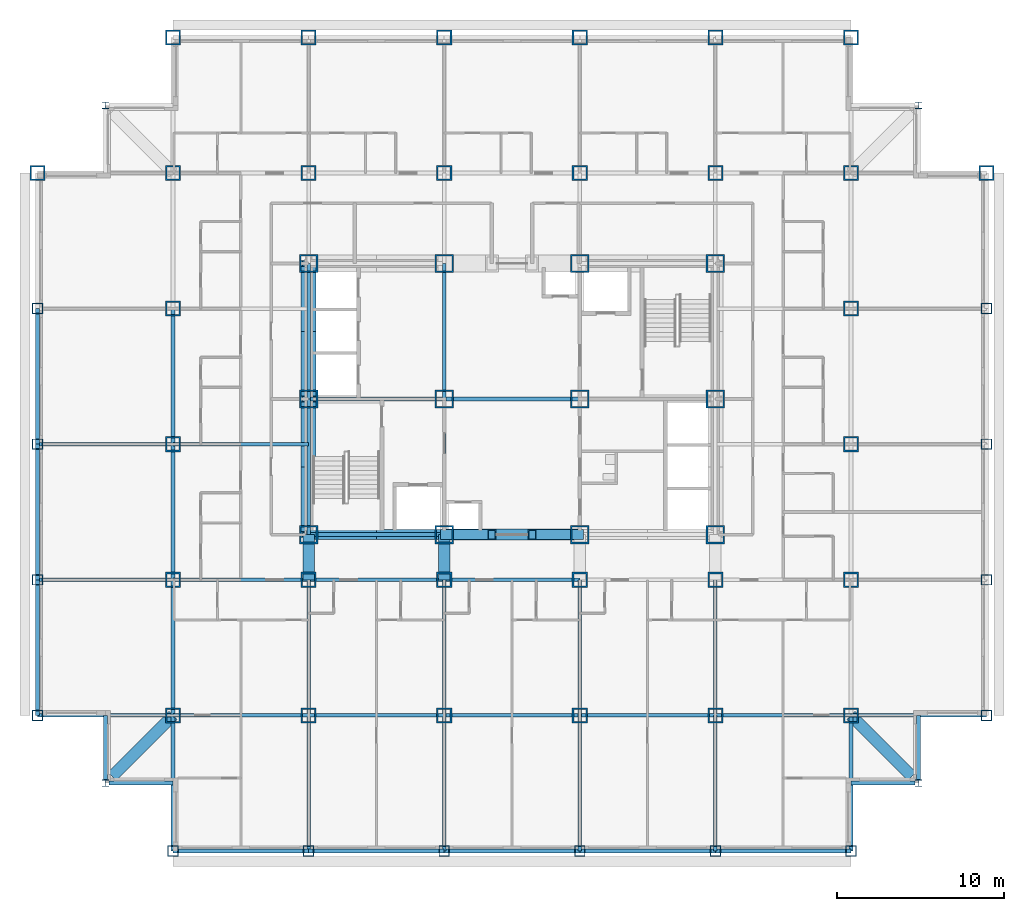
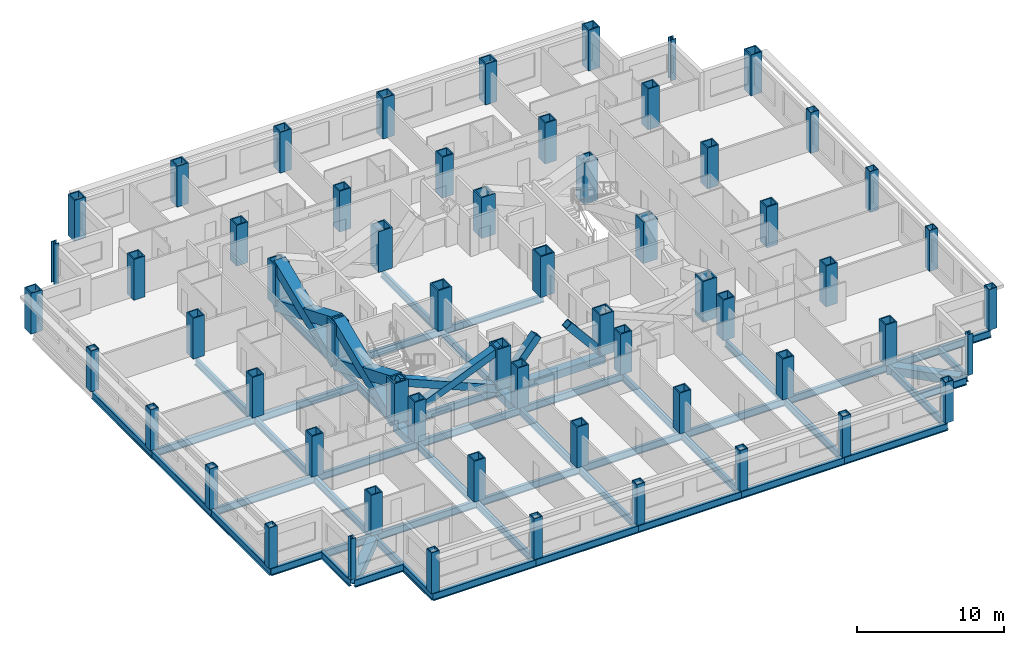
# One storey, part 1 of 13: 60 columns, 50 beams, 8 members.
"""IFC4 building model written with IfcOpenShell, lengths in metres."""

from ifc_helpers import new_model, si_unit, direction, frame, origin, origin_2d, place, context, subcontext, project, spatial, hollow_rectangle, i_section, extrude, material, material_profile, profile_set, type_object, element, save


model = new_model("IFC4")

# Units and contexts
model_context = context("Model", 3, precision=1e-05, world=origin(), true_north=direction((0.0, 1.0)))
body_context = subcontext(model_context, "Body", "Model", "MODEL_VIEW")
ifc_project = project(units=[si_unit("LENGTHUNIT", "METRE"), si_unit("AREAUNIT", "SQUARE_METRE"), si_unit("VOLUMEUNIT", "CUBIC_METRE"), si_unit("PLANEANGLEUNIT", "RADIAN"), si_unit("MASSUNIT", "GRAM", prefix="KILO")], contexts=[model_context])

# Site, building, storey
site_placement = place(None, origin())
site = spatial("IfcSite", under=ifc_project, at=site_placement, CompositionType="ELEMENT")
building_placement = place(site_placement, origin())
building = spatial("IfcBuilding", under=site, at=building_placement, Name="Kopane Lantern Tower", CompositionType="ELEMENT")
storey_placement = place(building_placement, frame((0.0, 0.0, 110.199951171875)))
storey = spatial("IfcBuildingStorey", under=building, at=storey_placement, Name="L27", CompositionType="ELEMENT", Elevation=110.199951171875)

# Columns
ifc_material_1 = material(Name="Steel S355JR", Category="steel")
ifc_material_profile_1 = material_profile(ifc_material_1, hollow_rectangle(XDim=1.10009765625, YDim=1.10009765625, WallThickness=0.10009765625, at=origin_2d()), Name="BOX 1100x1100x100")
ifc_profile_set_1 = profile_set([ifc_material_profile_1], Name="Steel S355JR")
column_type_1 = type_object("IfcColumnType", Name="COLUMN BOX 1100x1100x100", PredefinedType="COLUMN", material=ifc_profile_set_1)
for number, where, z_axis, x_axis, name in (
    (1, (16.199951171875, 24.300048828125, 0.0), (0.0, 0.0, 1.0), (1.0, 0.0, 0.0), "Column 4/E L27"),
    (2, (16.199951171875, 32.39990234375, 0.0), (0.0, 0.0, 1.0), (1.0, 0.0, 0.0), "Column 4/F L27"),
    (3, (16.199951171875, 40.5, 0.0), (0.0, 0.0, 1.0), (1.0, 0.0, 0.0), "Column 4/G L27"),
    (4, (24.300048828125, 24.300048828125, 0.0), (0.0, 0.0, 1.0), (1.0, 0.0, 0.0), "Column 5/E L27"),
    (5, (24.300048828125, 32.39990234375, 0.0), (0.0, 0.0, 1.0), (1.0, 0.0, 0.0), "Column 5/F L27"),
    (6, (24.300048828125, 40.5, 0.0), (0.0, 0.0, 1.0), (1.0, 0.0, 0.0), "Column 5/G L27"),
    (7, (32.39990234375, 24.300048828125, 0.0), (0.0, 0.0, 1.0), (1.0, 0.0, 0.0), "Column 6/E L27"),
    (8, (32.39990234375, 32.39990234375, 0.0), (0.0, 0.0, 1.0), (1.0, 0.0, 0.0), "Column 6/F L27"),
    (9, (32.39990234375, 40.5, 0.0), (0.0, 0.0, 1.0), (1.0, 0.0, 0.0), "Column 6/G L27"),
    (10, (40.5, 24.300048828125, 0.0), (0.0, 0.0, 1.0), (1.0, 0.0, 0.0), "Column 7/E L27"),
    (11, (40.5, 32.39990234375, 0.0), (0.0, 0.0, 1.0), (1.0, 0.0, 0.0), "Column 7/F L27"),
    (12, (40.5, 40.5, 0.0), (0.0, 0.0, 1.0), (1.0, 0.0, 0.0), "Column 7/G L27"),
):
    element("IfcColumn", number, at=place(storey_placement, frame(where, z_axis=z_axis, x_axis=x_axis)), inside=storey, type_object=column_type_1, Name=name, PredefinedType="COLUMN", context=body_context, shape_type="SweptSolid", body=[
        extrude(hollow_rectangle(XDim=1.10009765625, YDim=1.10009765625, WallThickness=0.10009765625, at=origin_2d()), origin(), (0.0, 0.0, 1.0), 3.400146484375),
    ])
ifc_material_2 = material(Name="Steel S355JR", Category="steel")
ifc_material_profile_2 = material_profile(ifc_material_2, hollow_rectangle(XDim=0.64990234375, YDim=0.64990234375, WallThickness=0.054931640625, at=origin_2d()), Name="BOX 650x650x55")
ifc_profile_set_2 = profile_set([ifc_material_profile_2], Name="Steel S355JR")
column_type_2 = type_object("IfcColumnType", Name="COLUMN BOX 650x650x55", PredefinedType="COLUMN", material=ifc_profile_set_2)
for number, where, z_axis, x_axis, name in (
    (13, (0.0, 13.5, 0.0), (0.0, 0.0, 1.0), (1.0, 0.0, 0.0), "Column 2/P2 L27"),
    (14, (0.0, 21.60009765625, 0.0), (0.0, 0.0, 1.0), (1.0, 0.0, 0.0), "Column 2/P3 L27"),
    (15, (0.0, 29.699951171875, 0.0), (0.0, 0.0, 1.0), (1.0, 0.0, 0.0), "Column 2/P4 L27"),
    (16, (0.0, 37.800048828125, 0.0), (0.0, 0.0, 1.0), (1.0, 0.0, 0.0), "Column 2/P5 L27"),
    (17, (8.10009765625, 5.39990234375, 0.0), (0.0, 0.0, 1.0), (1.0, 0.0, 0.0), "Column 3/P1 L27"),
    (18, (16.199951171875, 5.39990234375, 0.0), (0.0, 0.0, 1.0), (1.0, 0.0, 0.0), "Column 4/P1 L27"),
    (19, (24.300048828125, 5.39990234375, 0.0), (0.0, 0.0, 1.0), (1.0, 0.0, 0.0), "Column 5/P1 L27"),
    (20, (32.39990234375, 5.39990234375, 0.0), (0.0, 0.0, 1.0), (1.0, 0.0, 0.0), "Column 6/P1 L27"),
    (21, (40.5, 5.39990234375, 0.0), (0.0, 0.0, 1.0), (1.0, 0.0, 0.0), "Column 7/P1 L27"),
    (22, (48.60009765625, 5.39990234375, 0.0), (0.0, 0.0, 1.0), (1.0, 0.0, 0.0), "Column 8/P1 L27"),
    (23, (56.699951171875, 13.5, 0.0), (0.0, 0.0, 1.0), (1.0, 0.0, 0.0), "Column 9/P2 L27"),
    (24, (56.699951171875, 21.60009765625, 0.0), (0.0, 0.0, 1.0), (1.0, 0.0, 0.0), "Column 9/P3 L27"),
    (25, (56.699951171875, 29.699951171875, 0.0), (0.0, 0.0, 1.0), (1.0, 0.0, 0.0), "Column 9/P4 L27"),
    (26, (56.699951171875, 37.800048828125, 0.0), (0.0, 0.0, 1.0), (1.0, 0.0, 0.0), "Column 9/P5 L27"),
):
    element("IfcColumn", number, at=place(storey_placement, frame(where, z_axis=z_axis, x_axis=x_axis)), inside=storey, type_object=column_type_2, Name=name, PredefinedType="COLUMN", context=body_context, shape_type="SweptSolid", body=[
        extrude(hollow_rectangle(XDim=0.64990234375, YDim=0.64990234375, WallThickness=0.054931640625, at=origin_2d()), origin(), (0.0, 0.0, 1.0), 3.400146484375),
    ])
ifc_material_3 = material(Name="Steel S355JR", Category="steel")
ifc_material_profile_3 = material_profile(ifc_material_3, hollow_rectangle(XDim=0.89990234375, YDim=0.89990234375, WallThickness=0.090087890625, at=origin_2d()), Name="BOX 900x900x90")
ifc_profile_set_3 = profile_set([ifc_material_profile_3], Name="Steel S355JR")
column_type_3 = type_object("IfcColumnType", Name="COLUMN BOX 900x900x90", PredefinedType="COLUMN", material=ifc_profile_set_3)
for number, where, z_axis, x_axis, name in (
    (27, (0.0, 45.89990234375, 0.0), (0.0, 0.0, 1.0), (1.0, 0.0, 0.0), "Column 2/P6 L27"),
    (28, (8.10009765625, 13.5, 0.0), (0.0, 0.0, 1.0), (1.0, 0.0, 0.0), "Column 3/P2 L27"),
    (29, (8.10009765625, 21.60009765625, 0.0), (0.0, 0.0, 1.0), (1.0, 0.0, 0.0), "Column 3/P3 L27"),
    (30, (8.10009765625, 29.699951171875, 0.0), (0.0, 0.0, 1.0), (1.0, 0.0, 0.0), "Column 3/P4 L27"),
    (31, (8.10009765625, 37.800048828125, 0.0), (0.0, 0.0, 1.0), (1.0, 0.0, 0.0), "Column 3/P5 L27"),
    (32, (8.10009765625, 45.89990234375, 0.0), (0.0, 0.0, 1.0), (1.0, 0.0, 0.0), "Column 3/P6 L27"),
    (33, (8.10009765625, 54.0, 0.0), (0.0, 0.0, 1.0), (1.0, 0.0, 0.0), "Column 3/P7 L27"),
    (34, (16.199951171875, 13.5, 0.0), (0.0, 0.0, 1.0), (1.0, 0.0, 0.0), "Column 4/P2 L27"),
    (35, (16.199951171875, 21.60009765625, 0.0), (0.0, 0.0, 1.0), (1.0, 0.0, 0.0), "Column 4/P3 L27"),
    (36, (16.199951171875, 45.89990234375, 0.0), (0.0, 0.0, 1.0), (1.0, 0.0, 0.0), "Column 4/P6 L27"),
    (37, (16.199951171875, 54.0, 0.0), (0.0, 0.0, 1.0), (1.0, 0.0, 0.0), "Column 4/P7 L27"),
    (38, (24.300048828125, 13.5, 0.0), (0.0, 0.0, 1.0), (1.0, 0.0, 0.0), "Column 5/P2 L27"),
    (39, (24.300048828125, 21.60009765625, 0.0), (0.0, 0.0, 1.0), (1.0, 0.0, 0.0), "Column 5/P3 L27"),
    (40, (24.300048828125, 45.89990234375, 0.0), (0.0, 0.0, 1.0), (1.0, 0.0, 0.0), "Column 5/P6 L27"),
    (41, (24.300048828125, 54.0, 0.0), (0.0, 0.0, 1.0), (1.0, 0.0, 0.0), "Column 5/P7 L27"),
    (42, (32.39990234375, 13.5, 0.0), (0.0, 0.0, 1.0), (1.0, 0.0, 0.0), "Column 6/P2 L27"),
    (43, (32.39990234375, 21.60009765625, 0.0), (0.0, 0.0, 1.0), (1.0, 0.0, 0.0), "Column 6/P3 L27"),
    (44, (32.39990234375, 45.89990234375, 0.0), (0.0, 0.0, 1.0), (1.0, 0.0, 0.0), "Column 6/P6 L27"),
    (45, (32.39990234375, 54.0, 0.0), (0.0, 0.0, 1.0), (1.0, 0.0, 0.0), "Column 6/P7 L27"),
    (46, (40.5, 13.5, 0.0), (0.0, 0.0, 1.0), (1.0, 0.0, 0.0), "Column 7/P2 L27"),
    (47, (40.5, 21.60009765625, 0.0), (0.0, 0.0, 1.0), (1.0, 0.0, 0.0), "Column 7/P3 L27"),
    (48, (40.5, 45.89990234375, 0.0), (0.0, 0.0, 1.0), (1.0, 0.0, 0.0), "Column 7/P6 L27"),
    (49, (40.5, 54.0, 0.0), (0.0, 0.0, 1.0), (1.0, 0.0, 0.0), "Column 7/P7 L27"),
    (50, (48.60009765625, 13.5, 0.0), (0.0, 0.0, 1.0), (1.0, 0.0, 0.0), "Column 8/P2 L27"),
    (51, (48.60009765625, 21.60009765625, 0.0), (0.0, 0.0, 1.0), (1.0, 0.0, 0.0), "Column 8/P3 L27"),
    (52, (48.60009765625, 29.699951171875, 0.0), (0.0, 0.0, 1.0), (1.0, 0.0, 0.0), "Column 8/P4 L27"),
    (53, (48.60009765625, 37.800048828125, 0.0), (0.0, 0.0, 1.0), (1.0, 0.0, 0.0), "Column 8/P5 L27"),
    (54, (48.60009765625, 45.89990234375, 0.0), (0.0, 0.0, 1.0), (1.0, 0.0, 0.0), "Column 8/P6 L27"),
    (55, (48.60009765625, 54.0, 0.0), (0.0, 0.0, 1.0), (1.0, 0.0, 0.0), "Column 8/P7 L27"),
    (56, (56.699951171875, 45.89990234375, 0.0), (0.0, 0.0, 1.0), (1.0, 0.0, 0.0), "Column 9/P6 L27"),
):
    element("IfcColumn", number, at=place(storey_placement, frame(where, z_axis=z_axis, x_axis=x_axis)), inside=storey, type_object=column_type_3, Name=name, PredefinedType="COLUMN", context=body_context, shape_type="SweptSolid", body=[
        extrude(hollow_rectangle(XDim=0.89990234375, YDim=0.89990234375, WallThickness=0.090087890625, at=origin_2d()), origin(), (0.0, 0.0, 1.0), 3.400146484375),
    ])
ifc_material_4 = material(Name="Steel S355JR", Category="steel")
ifc_material_profile_4 = material_profile(ifc_material_4, i_section(OverallWidth=0.406982421875, OverallDepth=0.4189453125, WebThickness=0.030517578125, FlangeThickness=0.04931640625, FilletRadius=0.01513671875, at=origin_2d()), Name="UC 356x406x393")
ifc_profile_set_4 = profile_set([ifc_material_profile_4], Name="Steel S355JR")
column_type_4 = type_object("IfcColumnType", Name="COLUMN UC 356x406x393", PredefinedType="COLUMN", material=ifc_profile_set_4)
for number, where, z_axis, x_axis, name in (
    (57, (4.050048828125, 9.449951171875, 0.0), (0.0, 0.0, 1.0), (1.0, 0.0, 0.0), "Column 4.05/9.45 L27"),
    (58, (4.050048828125, 49.949951171875, 0.0), (0.0, 0.0, 1.0), (1.0, 0.0, 0.0), "Column 4.05/49.95 L27"),
    (59, (52.64990234375, 9.449951171875, 0.0), (0.0, 0.0, 1.0), (1.0, 0.0, 0.0), "Column 52.65/9.45 L27"),
    (60, (52.64990234375, 49.949951171875, 0.0), (0.0, 0.0, 1.0), (1.0, 0.0, 0.0), "Column 52.65/49.95 L27"),
):
    element("IfcColumn", number, at=place(storey_placement, frame(where, z_axis=z_axis, x_axis=x_axis)), inside=storey, type_object=column_type_4, Name=name, PredefinedType="COLUMN", context=body_context, shape_type="SweptSolid", body=[
        extrude(i_section(OverallWidth=0.406982421875, OverallDepth=0.4189453125, WebThickness=0.030517578125, FlangeThickness=0.04931640625, FilletRadius=0.01513671875, at=origin_2d()), origin(), (0.0, 0.0, 1.0), 3.400146484375),
    ])

# Members
ifc_material_5 = material(Name="Steel S355JR", Category="steel")
ifc_material_profile_5 = material_profile(ifc_material_5, hollow_rectangle(XDim=0.60009765625, YDim=0.60009765625, WallThickness=0.050048828125, at=origin_2d()), Name="BOX 600x600x50")
ifc_profile_set_5 = profile_set([ifc_material_profile_5], Name="Steel S355JR")
member_type_1 = type_object("IfcMemberType", Name="BRACE BOX 600x600x50", PredefinedType="BRACE", material=ifc_profile_set_5)
for number, where, z_axis, x_axis, name in (
    (61, (16.199951171875, 24.300048828125, -0.2099609375), (0.922069000757, 0.0, 0.387025526088), (0.0, 1.0, 0.0), "Core brace L27"),
    (62, (24.300048828125, 24.300048828125, -0.2099609375), (-0.922069000757, 0.0, 0.387025526088), (0.0, -1.0, 0.0), "Core brace L27"),
):
    element("IfcMember", number, at=place(storey_placement, frame(where, z_axis=z_axis, x_axis=x_axis)), inside=storey, type_object=member_type_1, Name=name, PredefinedType="BRACE", context=body_context, shape_type="SweptSolid", body=[
        extrude(hollow_rectangle(XDim=0.60009765625, YDim=0.60009765625, WallThickness=0.050048828125, at=origin_2d()), origin(), (0.0, 0.0, 1.0), 8.78466796875),
    ])
for number, where, z_axis, x_axis, name in (
    (63, (24.300048828125, 24.300048828125, -0.2099609375), (0.642390257445, 0.0, 0.7663776857), (0.0, 1.0, 0.0), "Core brace L27"),
    (64, (32.39990234375, 24.300048828125, -0.2099609375), (-0.642390257445, 0.0, 0.7663776857), (0.0, -1.0, 0.0), "Core brace L27"),
):
    element("IfcMember", number, at=place(storey_placement, frame(where, z_axis=z_axis, x_axis=x_axis)), inside=storey, type_object=member_type_1, Name=name, PredefinedType="BRACE", context=body_context, shape_type="SweptSolid", body=[
        extrude(hollow_rectangle(XDim=0.60009765625, YDim=0.60009765625, WallThickness=0.050048828125, at=origin_2d()), origin(), (0.0, 0.0, 1.0), 4.436279296875),
    ])
ifc_material_6 = material(Name="Steel S355JR", Category="steel")
ifc_material_profile_6 = material_profile(ifc_material_6, hollow_rectangle(XDim=0.89990234375, YDim=0.89990234375, WallThickness=0.090087890625, at=origin_2d()), Name="BOX 900x900x90")
ifc_profile_set_6 = profile_set([ifc_material_profile_6], Name="Steel S355JR")
member_type_2 = type_object("IfcMemberType", Name="BRACE BOX 900x900x90", PredefinedType="BRACE", material=ifc_profile_set_6)
for number, where, z_axis, x_axis, name in (
    (65, (16.199951171875, 24.300048828125, -0.2099609375), (0.0, 0.922064837731, 0.38703544414), (-1.0, 0.0, 0.0), "Core brace L27"),
    (66, (16.199951171875, 32.39990234375, -0.2099609375), (0.0, -0.922064837731, 0.38703544414), (1.0, 0.0, 0.0), "Core brace L27"),
):
    element("IfcMember", number, at=place(storey_placement, frame(where, z_axis=z_axis, x_axis=x_axis)), inside=storey, type_object=member_type_2, Name=name, PredefinedType="BRACE", context=body_context, shape_type="SweptSolid", body=[
        extrude(hollow_rectangle(XDim=0.89990234375, YDim=0.89990234375, WallThickness=0.090087890625, at=origin_2d()), origin(), (0.0, 0.0, 1.0), 8.784423828125),
    ])
for number, where, z_axis, x_axis, name in (
    (67, (16.199951171875, 32.39990234375, -0.2099609375), (0.0, 0.922069000757, 0.387025526088), (-1.0, 0.0, 0.0), "Core brace L27"),
    (68, (16.199951171875, 40.5, -0.2099609375), (0.0, -0.922069000757, 0.387025526088), (1.0, 0.0, 0.0), "Core brace L27"),
):
    element("IfcMember", number, at=place(storey_placement, frame(where, z_axis=z_axis, x_axis=x_axis)), inside=storey, type_object=member_type_2, Name=name, PredefinedType="BRACE", context=body_context, shape_type="SweptSolid", body=[
        extrude(hollow_rectangle(XDim=0.89990234375, YDim=0.89990234375, WallThickness=0.090087890625, at=origin_2d()), origin(), (0.0, 0.0, 1.0), 8.78466796875),
    ])

# Beams
ifc_material_7 = material(Name="Steel S355JR", Category="steel")
ifc_material_profile_7 = material_profile(ifc_material_7, i_section(OverallWidth=0.22900390625, OverallDepth=0.6123046875, WebThickness=0.011962890625, FlangeThickness=0.01953125, FilletRadius=0.0126953125, at=origin_2d()), Name="UB 610x229x125")
ifc_profile_set_7 = profile_set([ifc_material_profile_7], Name="Steel S355JR")
beam_type_1 = type_object("IfcBeamType", Name="CORE BEAM UB 610x229x125", PredefinedType="BEAM", material=ifc_profile_set_7)
beam_1_placement = place(storey_placement, frame((16.199951171875, 32.39990234375, -0.51611328125), z_axis=(1.0, 0.0, 0.0), x_axis=(0.0, 1.0, 0.0)))
element("IfcBeam", 69, at=beam_1_placement, inside=storey, type_object=beam_type_1, Name="Core Beam L27", PredefinedType="BEAM", context=body_context, shape_type="SweptSolid", body=[
    extrude(i_section(OverallWidth=0.22900390625, OverallDepth=0.6123046875, WebThickness=0.011962890625, FlangeThickness=0.01953125, FilletRadius=0.0126953125, at=origin_2d()), origin(), (0.0, 0.0, 1.0), 8.10009765625),
])
beam_2_placement = place(storey_placement, frame((24.300048828125, 24.300048828125, -0.51611328125), z_axis=(0.0, 1.0, 0.0), x_axis=(-1.0, 0.0, 0.0)))
element("IfcBeam", 70, at=beam_2_placement, inside=storey, type_object=beam_type_1, Name="Core Beam L27", PredefinedType="BEAM", context=body_context, shape_type="SweptSolid", body=[
    extrude(i_section(OverallWidth=0.22900390625, OverallDepth=0.6123046875, WebThickness=0.011962890625, FlangeThickness=0.01953125, FilletRadius=0.0126953125, at=origin_2d()), origin(), (0.0, 0.0, 1.0), 8.099853515625),
])
beam_3_placement = place(storey_placement, frame((24.300048828125, 32.39990234375, -0.51611328125), z_axis=(0.0, 1.0, 0.0), x_axis=(-1.0, 0.0, 0.0)))
element("IfcBeam", 71, at=beam_3_placement, inside=storey, type_object=beam_type_1, Name="Core Beam L27", PredefinedType="BEAM", context=body_context, shape_type="SweptSolid", body=[
    extrude(i_section(OverallWidth=0.22900390625, OverallDepth=0.6123046875, WebThickness=0.011962890625, FlangeThickness=0.01953125, FilletRadius=0.0126953125, at=origin_2d()), origin(), (0.0, 0.0, 1.0), 8.10009765625),
])
beam_4_placement = place(storey_placement, frame((24.300048828125, 32.39990234375, -0.51611328125), z_axis=(1.0, 0.0, 0.0), x_axis=(0.0, 1.0, 0.0)))
element("IfcBeam", 72, at=beam_4_placement, inside=storey, type_object=beam_type_1, Name="Core Beam L27", PredefinedType="BEAM", context=body_context, shape_type="SweptSolid", body=[
    extrude(i_section(OverallWidth=0.22900390625, OverallDepth=0.6123046875, WebThickness=0.011962890625, FlangeThickness=0.01953125, FilletRadius=0.0126953125, at=origin_2d()), origin(), (0.0, 0.0, 1.0), 8.099853515625),
])
ifc_material_8 = material(Name="Steel S355JR", Category="steel")
ifc_material_profile_8 = material_profile(ifc_material_8, hollow_rectangle(XDim=0.699951171875, YDim=0.699951171875, WallThickness=0.06005859375, at=origin_2d()), Name="BOX 700x700x60")
ifc_profile_set_8 = profile_set([ifc_material_profile_8], Name="Steel S355JR")
beam_type_2 = type_object("IfcBeamType", Name="CORNER TIE BEAM BOX 700x700x60", PredefinedType="BEAM", material=ifc_profile_set_8)
beam_5_placement = place(storey_placement, frame((4.447509765625, 9.847412109375, -0.56005859375), z_axis=(0.707106781187, 0.707106781187, 0.0), x_axis=(-0.707106781187, 0.707106781187, 0.0)))
element("IfcBeam", 73, at=beam_5_placement, inside=storey, type_object=beam_type_2, Name="Corner Tie Beam L27", PredefinedType="BEAM", context=body_context, shape_type="SweptSolid", body=[
    extrude(hollow_rectangle(XDim=0.699951171875, YDim=0.699951171875, WallThickness=0.06005859375, at=origin_2d()), origin(), (0.0, 0.0, 1.0), 5.16552734375),
])
beam_6_placement = place(storey_placement, frame((52.25244140625, 9.847412109375, -0.56005859375), z_axis=(-0.707083148333, 0.70713041325, 0.0), x_axis=(-0.70713041325, -0.707083148333, 0.0)))
element("IfcBeam", 74, at=beam_6_placement, inside=storey, type_object=beam_type_2, Name="Corner Tie Beam L27", PredefinedType="BEAM", context=body_context, shape_type="SweptSolid", body=[
    extrude(hollow_rectangle(XDim=0.699951171875, YDim=0.699951171875, WallThickness=0.06005859375, at=origin_2d()), origin(), (0.0, 0.0, 1.0), 5.165283203125),
])
ifc_material_9 = material(Name="Steel S355JR", Category="steel")
ifc_material_profile_9 = material_profile(ifc_material_9, i_section(OverallWidth=0.22900390625, OverallDepth=0.6123046875, WebThickness=0.011962890625, FlangeThickness=0.01953125, FilletRadius=0.0126953125, at=origin_2d()), Name="UB 610x229x125")
ifc_profile_set_9 = profile_set([ifc_material_profile_9], Name="Steel S355JR")
beam_type_3 = type_object("IfcBeamType", Name="EDGE BEAM UB 610x229x125", PredefinedType="BEAM", material=ifc_profile_set_9)
beam_7_placement = place(storey_placement, frame((4.050048828125, 9.653564453125, -0.51611328125), z_axis=(0.0, 1.0, 0.0), x_axis=(-1.0, 0.0, 0.0)))
element("IfcBeam", 75, at=beam_7_placement, inside=storey, type_object=beam_type_3, Name="Edge Beam L27", PredefinedType="BEAM", context=body_context, shape_type="SweptSolid", body=[
    extrude(i_section(OverallWidth=0.22900390625, OverallDepth=0.6123046875, WebThickness=0.011962890625, FlangeThickness=0.01953125, FilletRadius=0.0126953125, at=origin_2d()), origin(), (0.0, 0.0, 1.0), 3.846435546875),
])
beam_8_placement = place(storey_placement, frame((4.25341796875, 9.449951171875, -0.51611328125), z_axis=(1.0, 0.0, 0.0), x_axis=(0.0, 1.0, 0.0)))
element("IfcBeam", 76, at=beam_8_placement, inside=storey, type_object=beam_type_3, Name="Edge Beam L27", PredefinedType="BEAM", context=body_context, shape_type="SweptSolid", body=[
    extrude(i_section(OverallWidth=0.22900390625, OverallDepth=0.6123046875, WebThickness=0.011962890625, FlangeThickness=0.01953125, FilletRadius=0.0126953125, at=origin_2d()), origin(), (0.0, 0.0, 1.0), 3.8466796875),
])
for number, where, z_axis, x_axis, name in (
    (77, (52.446533203125, 9.449951171875, -0.51611328125), (-1.0, 0.0, 0.0), (0.0, -1.0, 0.0), "Edge Beam L27"),
    (78, (52.64990234375, 9.653564453125, -0.51611328125), (0.0, 1.0, 0.0), (-1.0, 0.0, 0.0), "Edge Beam L27"),
):
    element("IfcBeam", number, at=place(storey_placement, frame(where, z_axis=z_axis, x_axis=x_axis)), inside=storey, type_object=beam_type_3, Name=name, PredefinedType="BEAM", context=body_context, shape_type="SweptSolid", body=[
        extrude(i_section(OverallWidth=0.22900390625, OverallDepth=0.6123046875, WebThickness=0.011962890625, FlangeThickness=0.01953125, FilletRadius=0.0126953125, at=origin_2d()), origin(), (0.0, 0.0, 1.0), 3.846435546875),
    ])
ifc_material_10 = material(Name="Steel S355JR", Category="steel")
ifc_material_profile_10 = material_profile(ifc_material_10, hollow_rectangle(XDim=0.699951171875, YDim=0.699951171875, WallThickness=0.06005859375, at=origin_2d()), Name="BOX 700x700x60")
ifc_profile_set_10 = profile_set([ifc_material_profile_10], Name="Steel S355JR")
beam_type_4 = type_object("IfcBeamType", Name="GIRDER BOX 700x700x60", PredefinedType="BEAM", material=ifc_profile_set_10)
for number, where, z_axis, x_axis, name in (
    (79, (16.199951171875, 21.60009765625, -0.56005859375), (0.0, 1.0, 0.0), (-1.0, 0.0, 0.0), "Girder L27"),
    (80, (24.300048828125, 21.60009765625, -0.56005859375), (0.0, 1.0, 0.0), (-1.0, 0.0, 0.0), "Girder L27"),
):
    element("IfcBeam", number, at=place(storey_placement, frame(where, z_axis=z_axis, x_axis=x_axis)), inside=storey, type_object=beam_type_4, Name=name, PredefinedType="BEAM", context=body_context, shape_type="SweptSolid", body=[
        extrude(hollow_rectangle(XDim=0.699951171875, YDim=0.699951171875, WallThickness=0.06005859375, at=origin_2d()), origin(), (0.0, 0.0, 1.0), 2.699951171875),
    ])
ifc_material_11 = material(Name="Steel S355JR", Category="steel")
ifc_material_profile_11 = material_profile(ifc_material_11, i_section(OverallWidth=0.22900390625, OverallDepth=0.6123046875, WebThickness=0.011962890625, FlangeThickness=0.01953125, FilletRadius=0.0126953125, at=origin_2d()), Name="UB 610x229x125")
ifc_profile_set_11 = profile_set([ifc_material_profile_11], Name="Steel S355JR")
beam_type_5 = type_object("IfcBeamType", Name="GIRDER UB 610x229x125", PredefinedType="BEAM", material=ifc_profile_set_11)
for number, where, z_axis, x_axis, name in (
    (81, (0.0, 13.5, -0.51611328125), (0.0, 1.0, 0.0), (-1.0, 0.0, 0.0), "Girder L27"),
    (82, (0.0, 13.5, -0.51611328125), (1.0, 0.0, 0.0), (0.0, 1.0, 0.0), "Girder L27"),
):
    element("IfcBeam", number, at=place(storey_placement, frame(where, z_axis=z_axis, x_axis=x_axis)), inside=storey, type_object=beam_type_5, Name=name, PredefinedType="BEAM", context=body_context, shape_type="SweptSolid", body=[
        extrude(i_section(OverallWidth=0.22900390625, OverallDepth=0.6123046875, WebThickness=0.011962890625, FlangeThickness=0.01953125, FilletRadius=0.0126953125, at=origin_2d()), origin(), (0.0, 0.0, 1.0), 8.10009765625),
    ])
beam_9_placement = place(storey_placement, frame((0.0, 21.60009765625, -0.51611328125), z_axis=(0.0, 1.0, 0.0), x_axis=(-1.0, 0.0, 0.0)))
element("IfcBeam", 83, at=beam_9_placement, inside=storey, type_object=beam_type_5, Name="Girder L27", PredefinedType="BEAM", context=body_context, shape_type="SweptSolid", body=[
    extrude(i_section(OverallWidth=0.22900390625, OverallDepth=0.6123046875, WebThickness=0.011962890625, FlangeThickness=0.01953125, FilletRadius=0.0126953125, at=origin_2d()), origin(), (0.0, 0.0, 1.0), 8.099853515625),
])
for number, where, z_axis, x_axis, name in (
    (84, (0.0, 21.60009765625, -0.51611328125), (1.0, 0.0, 0.0), (0.0, 1.0, 0.0), "Girder L27"),
    (85, (0.0, 29.699951171875, -0.51611328125), (0.0, 1.0, 0.0), (-1.0, 0.0, 0.0), "Girder L27"),
    (86, (0.0, 29.699951171875, -0.51611328125), (1.0, 0.0, 0.0), (0.0, 1.0, 0.0), "Girder L27"),
    (87, (8.10009765625, 5.39990234375, -0.51611328125), (0.0, 1.0, 0.0), (-1.0, 0.0, 0.0), "Girder L27"),
):
    element("IfcBeam", number, at=place(storey_placement, frame(where, z_axis=z_axis, x_axis=x_axis)), inside=storey, type_object=beam_type_5, Name=name, PredefinedType="BEAM", context=body_context, shape_type="SweptSolid", body=[
        extrude(i_section(OverallWidth=0.22900390625, OverallDepth=0.6123046875, WebThickness=0.011962890625, FlangeThickness=0.01953125, FilletRadius=0.0126953125, at=origin_2d()), origin(), (0.0, 0.0, 1.0), 8.10009765625),
    ])
beam_10_placement = place(storey_placement, frame((8.10009765625, 5.39990234375, -0.51611328125), z_axis=(1.0, 0.0, 0.0), x_axis=(0.0, 1.0, 0.0)))
element("IfcBeam", 88, at=beam_10_placement, inside=storey, type_object=beam_type_5, Name="Girder L27", PredefinedType="BEAM", context=body_context, shape_type="SweptSolid", body=[
    extrude(i_section(OverallWidth=0.22900390625, OverallDepth=0.6123046875, WebThickness=0.011962890625, FlangeThickness=0.01953125, FilletRadius=0.0126953125, at=origin_2d()), origin(), (0.0, 0.0, 1.0), 8.099853515625),
])
beam_11_placement = place(storey_placement, frame((8.10009765625, 13.5, -0.51611328125), z_axis=(0.0, 1.0, 0.0), x_axis=(-1.0, 0.0, 0.0)))
element("IfcBeam", 89, at=beam_11_placement, inside=storey, type_object=beam_type_5, Name="Girder L27", PredefinedType="BEAM", context=body_context, shape_type="SweptSolid", body=[
    extrude(i_section(OverallWidth=0.22900390625, OverallDepth=0.6123046875, WebThickness=0.011962890625, FlangeThickness=0.01953125, FilletRadius=0.0126953125, at=origin_2d()), origin(), (0.0, 0.0, 1.0), 8.10009765625),
])
for number, where, z_axis, x_axis, name in (
    (90, (8.10009765625, 13.5, -0.51611328125), (1.0, 0.0, 0.0), (0.0, 1.0, 0.0), "Girder L27"),
    (91, (8.10009765625, 21.60009765625, -0.51611328125), (0.0, 1.0, 0.0), (-1.0, 0.0, 0.0), "Girder L27"),
    (92, (8.10009765625, 21.60009765625, -0.51611328125), (1.0, 0.0, 0.0), (0.0, 1.0, 0.0), "Girder L27"),
):
    element("IfcBeam", number, at=place(storey_placement, frame(where, z_axis=z_axis, x_axis=x_axis)), inside=storey, type_object=beam_type_5, Name=name, PredefinedType="BEAM", context=body_context, shape_type="SweptSolid", body=[
        extrude(i_section(OverallWidth=0.22900390625, OverallDepth=0.6123046875, WebThickness=0.011962890625, FlangeThickness=0.01953125, FilletRadius=0.0126953125, at=origin_2d()), origin(), (0.0, 0.0, 1.0), 8.099853515625),
    ])
beam_12_placement = place(storey_placement, frame((8.10009765625, 29.699951171875, -0.51611328125), z_axis=(0.0, 1.0, 0.0), x_axis=(-1.0, 0.0, 0.0)))
element("IfcBeam", 93, at=beam_12_placement, inside=storey, type_object=beam_type_5, Name="Girder L27", PredefinedType="BEAM", context=body_context, shape_type="SweptSolid", body=[
    extrude(i_section(OverallWidth=0.22900390625, OverallDepth=0.6123046875, WebThickness=0.011962890625, FlangeThickness=0.01953125, FilletRadius=0.0126953125, at=origin_2d()), origin(), (0.0, 0.0, 1.0), 8.10009765625),
])
beam_13_placement = place(storey_placement, frame((8.10009765625, 29.699951171875, -0.51611328125), z_axis=(1.0, 0.0, 0.0), x_axis=(0.0, 1.0, 0.0)))
element("IfcBeam", 94, at=beam_13_placement, inside=storey, type_object=beam_type_5, Name="Girder L27", PredefinedType="BEAM", context=body_context, shape_type="SweptSolid", body=[
    extrude(i_section(OverallWidth=0.22900390625, OverallDepth=0.6123046875, WebThickness=0.011962890625, FlangeThickness=0.01953125, FilletRadius=0.0126953125, at=origin_2d()), origin(), (0.0, 0.0, 1.0), 8.099853515625),
])
for number, where, z_axis, x_axis, name in (
    (95, (16.199951171875, 5.39990234375, -0.51611328125), (0.0, 1.0, 0.0), (-1.0, 0.0, 0.0), "Girder L27"),
    (96, (16.199951171875, 5.39990234375, -0.51611328125), (1.0, 0.0, 0.0), (0.0, 1.0, 0.0), "Girder L27"),
    (97, (16.199951171875, 13.5, -0.51611328125), (0.0, 1.0, 0.0), (-1.0, 0.0, 0.0), "Girder L27"),
    (98, (16.199951171875, 13.5, -0.51611328125), (1.0, 0.0, 0.0), (0.0, 1.0, 0.0), "Girder L27"),
    (99, (16.199951171875, 21.60009765625, -0.51611328125), (1.0, 0.0, 0.0), (0.0, 1.0, 0.0), "Girder L27"),
):
    element("IfcBeam", number, at=place(storey_placement, frame(where, z_axis=z_axis, x_axis=x_axis)), inside=storey, type_object=beam_type_5, Name=name, PredefinedType="BEAM", context=body_context, shape_type="SweptSolid", body=[
        extrude(i_section(OverallWidth=0.22900390625, OverallDepth=0.6123046875, WebThickness=0.011962890625, FlangeThickness=0.01953125, FilletRadius=0.0126953125, at=origin_2d()), origin(), (0.0, 0.0, 1.0), 8.10009765625),
    ])
beam_14_placement = place(storey_placement, frame((16.199951171875, 24.300048828125, -0.51611328125), z_axis=(0.0, 1.0, 0.0), x_axis=(-1.0, 0.0, 0.0)))
element("IfcBeam", 100, at=beam_14_placement, inside=storey, type_object=beam_type_5, Name="Girder L27", PredefinedType="BEAM", context=body_context, shape_type="SweptSolid", body=[
    extrude(i_section(OverallWidth=0.22900390625, OverallDepth=0.6123046875, WebThickness=0.011962890625, FlangeThickness=0.01953125, FilletRadius=0.0126953125, at=origin_2d()), origin(), (0.0, 0.0, 1.0), 8.099853515625),
])
for number, where, z_axis, x_axis, name in (
    (101, (16.199951171875, 24.300048828125, -0.51611328125), (1.0, 0.0, 0.0), (0.0, 1.0, 0.0), "Girder L27"),
    (102, (16.199951171875, 32.39990234375, -0.51611328125), (0.0, 1.0, 0.0), (-1.0, 0.0, 0.0), "Girder L27"),
    (103, (24.300048828125, 5.39990234375, -0.51611328125), (0.0, 1.0, 0.0), (-1.0, 0.0, 0.0), "Girder L27"),
):
    element("IfcBeam", number, at=place(storey_placement, frame(where, z_axis=z_axis, x_axis=x_axis)), inside=storey, type_object=beam_type_5, Name=name, PredefinedType="BEAM", context=body_context, shape_type="SweptSolid", body=[
        extrude(i_section(OverallWidth=0.22900390625, OverallDepth=0.6123046875, WebThickness=0.011962890625, FlangeThickness=0.01953125, FilletRadius=0.0126953125, at=origin_2d()), origin(), (0.0, 0.0, 1.0), 8.10009765625),
    ])
beam_15_placement = place(storey_placement, frame((24.300048828125, 5.39990234375, -0.51611328125), z_axis=(1.0, 0.0, 0.0), x_axis=(0.0, 1.0, 0.0)))
element("IfcBeam", 104, at=beam_15_placement, inside=storey, type_object=beam_type_5, Name="Girder L27", PredefinedType="BEAM", context=body_context, shape_type="SweptSolid", body=[
    extrude(i_section(OverallWidth=0.22900390625, OverallDepth=0.6123046875, WebThickness=0.011962890625, FlangeThickness=0.01953125, FilletRadius=0.0126953125, at=origin_2d()), origin(), (0.0, 0.0, 1.0), 8.099853515625),
])
beam_16_placement = place(storey_placement, frame((24.300048828125, 13.5, -0.51611328125), z_axis=(0.0, 1.0, 0.0), x_axis=(-1.0, 0.0, 0.0)))
element("IfcBeam", 105, at=beam_16_placement, inside=storey, type_object=beam_type_5, Name="Girder L27", PredefinedType="BEAM", context=body_context, shape_type="SweptSolid", body=[
    extrude(i_section(OverallWidth=0.22900390625, OverallDepth=0.6123046875, WebThickness=0.011962890625, FlangeThickness=0.01953125, FilletRadius=0.0126953125, at=origin_2d()), origin(), (0.0, 0.0, 1.0), 8.10009765625),
])
for number, where, z_axis, x_axis, name in (
    (106, (24.300048828125, 13.5, -0.51611328125), (1.0, 0.0, 0.0), (0.0, 1.0, 0.0), "Girder L27"),
    (107, (24.300048828125, 21.60009765625, -0.51611328125), (1.0, 0.0, 0.0), (0.0, 1.0, 0.0), "Girder L27"),
):
    element("IfcBeam", number, at=place(storey_placement, frame(where, z_axis=z_axis, x_axis=x_axis)), inside=storey, type_object=beam_type_5, Name=name, PredefinedType="BEAM", context=body_context, shape_type="SweptSolid", body=[
        extrude(i_section(OverallWidth=0.22900390625, OverallDepth=0.6123046875, WebThickness=0.011962890625, FlangeThickness=0.01953125, FilletRadius=0.0126953125, at=origin_2d()), origin(), (0.0, 0.0, 1.0), 8.099853515625),
    ])
for number, where, z_axis, x_axis, name in (
    (108, (32.39990234375, 5.39990234375, -0.51611328125), (0.0, 1.0, 0.0), (-1.0, 0.0, 0.0), "Girder L27"),
    (109, (32.39990234375, 5.39990234375, -0.51611328125), (1.0, 0.0, 0.0), (0.0, 1.0, 0.0), "Girder L27"),
    (110, (32.39990234375, 13.5, -0.51611328125), (0.0, 1.0, 0.0), (-1.0, 0.0, 0.0), "Girder L27"),
    (111, (32.39990234375, 13.5, -0.51611328125), (1.0, 0.0, 0.0), (0.0, 1.0, 0.0), "Girder L27"),
    (112, (40.5, 5.39990234375, -0.51611328125), (0.0, 1.0, 0.0), (-1.0, 0.0, 0.0), "Girder L27"),
    (113, (40.5, 5.39990234375, -0.51611328125), (1.0, 0.0, 0.0), (0.0, 1.0, 0.0), "Girder L27"),
    (114, (40.5, 13.5, -0.51611328125), (0.0, 1.0, 0.0), (-1.0, 0.0, 0.0), "Girder L27"),
    (115, (40.5, 13.5, -0.51611328125), (1.0, 0.0, 0.0), (0.0, 1.0, 0.0), "Girder L27"),
    (116, (48.60009765625, 5.39990234375, -0.51611328125), (0.0, 1.0, 0.0), (-1.0, 0.0, 0.0), "Girder L27"),
):
    element("IfcBeam", number, at=place(storey_placement, frame(where, z_axis=z_axis, x_axis=x_axis)), inside=storey, type_object=beam_type_5, Name=name, PredefinedType="BEAM", context=body_context, shape_type="SweptSolid", body=[
        extrude(i_section(OverallWidth=0.22900390625, OverallDepth=0.6123046875, WebThickness=0.011962890625, FlangeThickness=0.01953125, FilletRadius=0.0126953125, at=origin_2d()), origin(), (0.0, 0.0, 1.0), 8.10009765625),
    ])
beam_17_placement = place(storey_placement, frame((48.60009765625, 13.5, -0.51611328125), z_axis=(1.0, 0.0, 0.0), x_axis=(0.0, 1.0, 0.0)))
element("IfcBeam", 117, at=beam_17_placement, inside=storey, type_object=beam_type_5, Name="Girder L27", PredefinedType="BEAM", context=body_context, shape_type="SweptSolid", body=[
    extrude(i_section(OverallWidth=0.22900390625, OverallDepth=0.6123046875, WebThickness=0.011962890625, FlangeThickness=0.01953125, FilletRadius=0.0126953125, at=origin_2d()), origin(), (0.0, 0.0, 1.0), 8.099853515625),
])
ifc_material_12 = material(Name="Steel S355JR", Category="steel")
ifc_material_profile_12 = material_profile(ifc_material_12, hollow_rectangle(XDim=0.64990234375, YDim=0.64990234375, WallThickness=0.070068359375, at=origin_2d()), Name="BOX 650x650x70")
ifc_profile_set_12 = profile_set([ifc_material_profile_12], Name="Steel S355JR")
beam_type_6 = type_object("IfcBeamType", Name="LINK BEAM BOX 650x650x70", PredefinedType="BEAM", material=ifc_profile_set_12)
beam_18_placement = place(storey_placement, frame((24.300048828125, 24.300048828125, -0.534912109375), z_axis=(1.0, 0.0, 0.0), x_axis=(0.0, 1.0, 0.0)))
element("IfcBeam", 118, at=beam_18_placement, inside=storey, type_object=beam_type_6, Name="Link Beam L27", PredefinedType="BEAM", context=body_context, shape_type="SweptSolid", body=[
    extrude(hollow_rectangle(XDim=0.64990234375, YDim=0.64990234375, WallThickness=0.070068359375, at=origin_2d()), origin(), (0.0, 0.0, 1.0), 8.099853515625),
])

save(model, "model.ifc")
